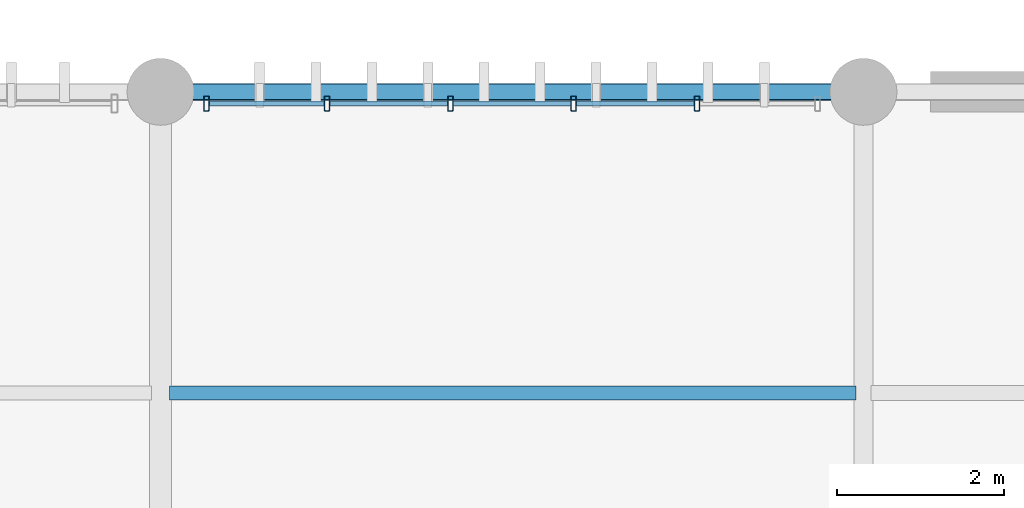
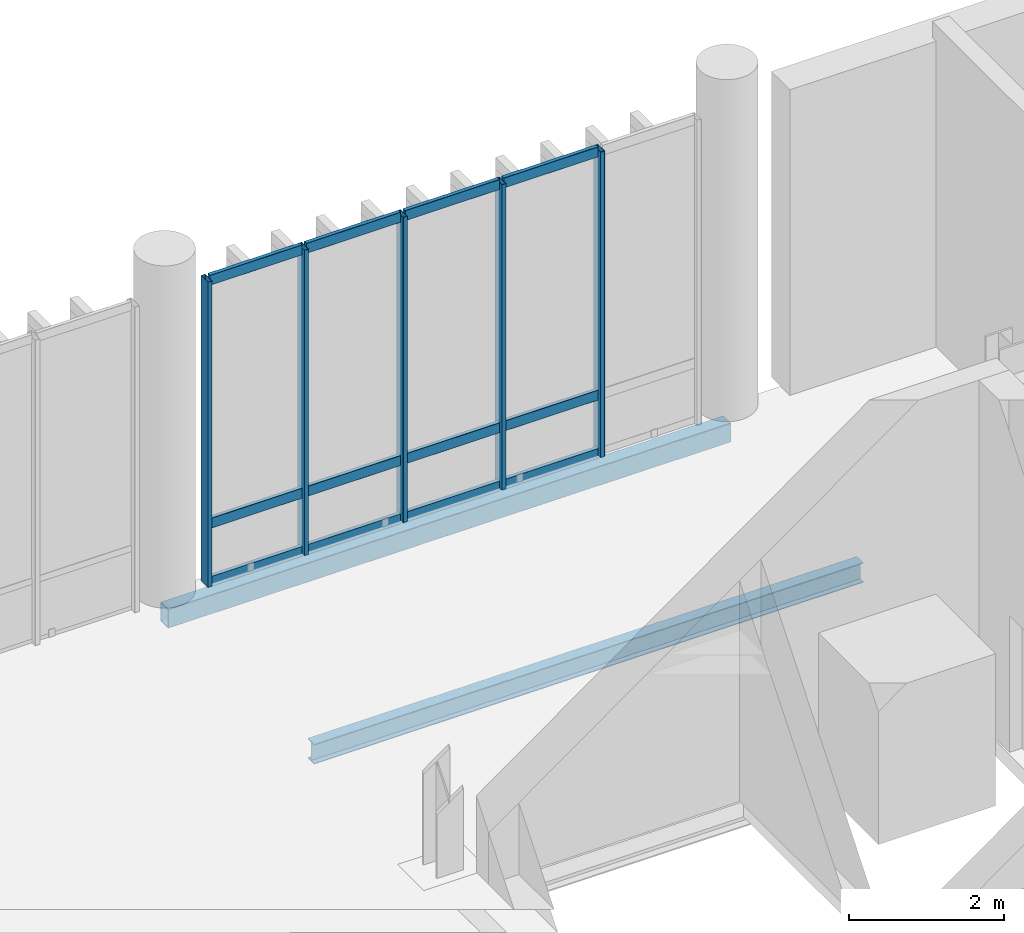
# One storey, part 40 of 112: 17 members, 2 beams, 1 element without a shape of its own.
"""IFC4 building model written with IfcOpenShell, lengths in metres."""

from ifc_helpers import new_model, si_unit, direction, frame, origin_with_axes, origin_2d_with_axis, place, context, subcontext, project, spatial, hollow_rectangle, i_section, extrude, material, material_profile, profile_set, type_object, element, aggregate, save


model = new_model("IFC4")

# Units and contexts
model_context = context("Model", 3, precision=1e-05, world=origin_with_axes(), true_north=direction((0.0, 1.0)))
body_context = subcontext(model_context, "Body", "Model", "MODEL_VIEW")
ifc_project = project(units=[si_unit("LENGTHUNIT", "METRE"), si_unit("AREAUNIT", "SQUARE_METRE"), si_unit("VOLUMEUNIT", "CUBIC_METRE"), si_unit("PLANEANGLEUNIT", "RADIAN"), si_unit("MASSUNIT", "GRAM", prefix="KILO"), si_unit("THERMODYNAMICTEMPERATUREUNIT", "KELVIN")], contexts=[model_context])

# Site, building, storey
site_placement = place(None, origin_with_axes())
site = spatial("IfcSite", under=ifc_project, at=site_placement, CompositionType="ELEMENT")
building_placement = place(site_placement, origin_with_axes())
building = spatial("IfcBuilding", under=site, at=building_placement, Name="Montbau Bow Law Courts", CompositionType="ELEMENT")
storey_placement = place(building_placement, origin_with_axes())
storey = spatial("IfcBuildingStorey", under=building, at=storey_placement, Name="L00", CompositionType="ELEMENT", Elevation=0.0)

# Beams
ifc_material_1 = material(Name="Steel CSA G40.21 Grade 350W (350 MPa)", Category="steel")
ifc_material_profile_1 = material_profile(ifc_material_1, i_section(OverallWidth=0.166, OverallDepth=0.313, WebThickness=0.0066, FlangeThickness=0.0112, at=origin_2d_with_axis()), Name="W310X45", Category="Main", Priority=0)
ifc_profile_set_1 = profile_set([ifc_material_profile_1], Name="Steel CSA G40.21 Grade 350W (350 MPa)")
beam_type_1 = type_object("IfcBeamType", Name="B-JST-04", PredefinedType="JOIST", material=ifc_profile_set_1)
beam_1_placement = place(None, frame((55.309, 58.2, -0.396), z_axis=(1.0, 0.0, 0.0), x_axis=(0.0, 1.0, 0.0)))
element("IfcBeam", 1, at=beam_1_placement, inside=storey, type_object=beam_type_1, Name="JST-L00-S0059:jst2_0059", PredefinedType="JOIST", context=body_context, shape_type="SweptSolid", body=[
    extrude(i_section(OverallWidth=0.166, OverallDepth=0.313, WebThickness=0.0066, FlangeThickness=0.0112, at=origin_2d_with_axis()), origin_with_axes(), (0.0, 0.0, 1.0), 8.201),
])
ifc_material_2 = material(Name="Steel CSA G40.21 Grade 350WT (350 MPa)", Category="steel")
ifc_material_profile_2 = material_profile(ifc_material_2, hollow_rectangle(XDim=0.203, YDim=0.305, WallThickness=0.0127, InnerFilletRadius=0.0254, OuterFilletRadius=0.0127, at=origin_2d_with_axis()), Name="HSS305X203X13", Category="Main", Priority=0)
ifc_profile_set_2 = profile_set([ifc_material_profile_2], Name="Steel CSA G40.21 Grade 350WT (350 MPa)")
beam_type_2 = type_object("IfcBeamType", Name="B-SPN-02", PredefinedType="SPANDREL", material=ifc_profile_set_2)
beam_2_placement = place(None, frame((55.2, 61.8, -0.392), z_axis=(1.0, 0.0, 0.0), x_axis=(0.0, 1.0, 0.0)))
element("IfcBeam", 2, at=beam_2_placement, inside=storey, type_object=beam_type_2, Name="SPN-L00-S0228:bm2_0231", PredefinedType="SPANDREL", context=body_context, shape_type="SweptSolid", body=[
    extrude(hollow_rectangle(XDim=0.203, YDim=0.305, WallThickness=0.0127, InnerFilletRadius=0.0254, OuterFilletRadius=0.0127, at=origin_2d_with_axis()), origin_with_axes(), (0.0, 0.0, 1.0), 8.4),
])

# Curtain wall, members
ifc_material_3 = material(Name="Thermally Broken Extruded Aluminium AA 6063-T6", Category="aluminium")
curtain_wall_type = type_object("IfcCurtainWallType", Name="CW-CRM-01", PredefinedType="NOTDEFINED", material=ifc_material_3)
curtain_wall_placement = place(None, frame((55.715, 61.66, 0.0), z_axis=(0.0, 0.0, 1.0), x_axis=(1.0, 0.0, 0.0)))
curtain_wall = element("IfcCurtainWall", 3, at=curtain_wall_placement, inside=storey, type_object=curtain_wall_type, Name="CW-L00-130:cw_0130", PredefinedType="NOTDEFINED")
ifc_material_profile_3 = material_profile(ifc_material_3, hollow_rectangle(XDim=0.065, YDim=0.18, WallThickness=0.005, InnerFilletRadius=0.01, OuterFilletRadius=0.005, at=origin_2d_with_axis()), Name="CWM-180X65", Category="Main", Priority=0)
ifc_profile_set_3 = profile_set([ifc_material_profile_3], Name="Thermally Broken Extruded Aluminium AA 6063-T6")
member_type_1 = type_object("IfcMemberType", Name="M-MUL-02", PredefinedType="MULLION", material=ifc_profile_set_3)
member_1_placement = place(None, frame((55.748, 61.66, 0.0), z_axis=(0.0, 0.0, 1.0), x_axis=(1.0, 0.0, 0.0)))
member_1 = element("IfcMember", 4, at=member_1_placement, type_object=member_type_1, Name="CW-L00-130-M01:cw_0130_M01", PredefinedType="MULLION", context=body_context, shape_type="SweptSolid", body=[
    extrude(hollow_rectangle(XDim=0.065, YDim=0.18, WallThickness=0.005, InnerFilletRadius=0.01, OuterFilletRadius=0.005, at=origin_2d_with_axis()), origin_with_axes(), (0.0, 0.0, 1.0), 4.82),
])
member_2_placement = place(None, frame((57.189, 61.66, 0.0), z_axis=(0.0, 0.0, 1.0), x_axis=(1.0, 0.0, 0.0)))
member_2 = element("IfcMember", 5, at=member_2_placement, type_object=member_type_1, Name="CW-L00-130-M02:cw_0130_M02", PredefinedType="MULLION", context=body_context, shape_type="SweptSolid", body=[
    extrude(hollow_rectangle(XDim=0.065, YDim=0.18, WallThickness=0.005, InnerFilletRadius=0.01, OuterFilletRadius=0.005, at=origin_2d_with_axis()), origin_with_axes(), (0.0, 0.0, 1.0), 4.82),
])
member_3_placement = place(None, frame((58.663, 61.66, 0.0), z_axis=(0.0, 0.0, 1.0), x_axis=(1.0, 0.0, 0.0)))
member_3 = element("IfcMember", 6, at=member_3_placement, type_object=member_type_1, Name="CW-L00-130-M03:cw_0130_M03", PredefinedType="MULLION", context=body_context, shape_type="SweptSolid", body=[
    extrude(hollow_rectangle(XDim=0.065, YDim=0.18, WallThickness=0.005, InnerFilletRadius=0.01, OuterFilletRadius=0.005, at=origin_2d_with_axis()), origin_with_axes(), (0.0, 0.0, 1.0), 4.82),
])
member_4_placement = place(None, frame((60.137, 61.66, 0.0), z_axis=(0.0, 0.0, 1.0), x_axis=(1.0, 0.0, 0.0)))
member_4 = element("IfcMember", 7, at=member_4_placement, type_object=member_type_1, Name="CW-L00-130-M04:cw_0130_M04", PredefinedType="MULLION", context=body_context, shape_type="SweptSolid", body=[
    extrude(hollow_rectangle(XDim=0.065, YDim=0.18, WallThickness=0.005, InnerFilletRadius=0.01, OuterFilletRadius=0.005, at=origin_2d_with_axis()), origin_with_axes(), (0.0, 0.0, 1.0), 4.82),
])
member_5_placement = place(None, frame((61.611, 61.66, 0.0), z_axis=(0.0, 0.0, 1.0), x_axis=(1.0, 0.0, 0.0)))
member_5 = element("IfcMember", 8, at=member_5_placement, type_object=member_type_1, Name="CW-L00-130-M05:cw_0130_M05", PredefinedType="MULLION", context=body_context, shape_type="SweptSolid", body=[
    extrude(hollow_rectangle(XDim=0.065, YDim=0.18, WallThickness=0.005, InnerFilletRadius=0.01, OuterFilletRadius=0.005, at=origin_2d_with_axis()), origin_with_axes(), (0.0, 0.0, 1.0), 4.82),
])
ifc_material_profile_4 = material_profile(ifc_material_3, hollow_rectangle(XDim=0.06, YDim=0.16, WallThickness=0.004, InnerFilletRadius=0.008, OuterFilletRadius=0.004, at=origin_2d_with_axis()), Name="CWT-160X60", Category="Main", Priority=0)
ifc_profile_set_4 = profile_set([ifc_material_profile_4], Name="Thermally Broken Extruded Aluminium AA 6063-T6")
member_type_2 = type_object("IfcMemberType", Name="M-TRN-01", PredefinedType="USERDEFINED", material=ifc_profile_set_4)
member_6_placement = place(None, frame((55.783, 61.66, 0.03), z_axis=(1.0, 0.0, 0.0), x_axis=(0.0, 1.0, 0.0)))
member_6 = element("IfcMember", 9, at=member_6_placement, type_object=member_type_2, Name="CW-L00-130-T01-1:cw_0130_T01_1", ObjectType="TRANSOM", PredefinedType="USERDEFINED", context=body_context, shape_type="SweptSolid", body=[
    extrude(hollow_rectangle(XDim=0.06, YDim=0.16, WallThickness=0.004, InnerFilletRadius=0.008, OuterFilletRadius=0.004, at=origin_2d_with_axis()), origin_with_axes(), (0.0, 0.0, 1.0), 1.372),
])
member_7_placement = place(None, frame((55.783, 61.66, 0.95), z_axis=(1.0, 0.0, 0.0), x_axis=(0.0, 1.0, 0.0)))
member_7 = element("IfcMember", 10, at=member_7_placement, type_object=member_type_2, Name="CW-L00-130-T01-2:cw_0130_T01_2", ObjectType="TRANSOM", PredefinedType="USERDEFINED", context=body_context, shape_type="SweptSolid", body=[
    extrude(hollow_rectangle(XDim=0.06, YDim=0.16, WallThickness=0.004, InnerFilletRadius=0.008, OuterFilletRadius=0.004, at=origin_2d_with_axis()), origin_with_axes(), (0.0, 0.0, 1.0), 1.372),
])
member_8_placement = place(None, frame((55.783, 61.66, 4.79), z_axis=(1.0, 0.0, 0.0), x_axis=(0.0, 1.0, 0.0)))
member_8 = element("IfcMember", 11, at=member_8_placement, type_object=member_type_2, Name="CW-L00-130-T01-3:cw_0130_T01_3", ObjectType="TRANSOM", PredefinedType="USERDEFINED", context=body_context, shape_type="SweptSolid", body=[
    extrude(hollow_rectangle(XDim=0.06, YDim=0.16, WallThickness=0.004, InnerFilletRadius=0.008, OuterFilletRadius=0.004, at=origin_2d_with_axis()), origin_with_axes(), (0.0, 0.0, 1.0), 1.372),
])
member_9_placement = place(None, frame((57.223, 61.66, 0.03), z_axis=(1.0, 0.0, 0.0), x_axis=(0.0, 1.0, 0.0)))
member_9 = element("IfcMember", 12, at=member_9_placement, type_object=member_type_2, Name="CW-L00-130-T02-1:cw_0130_T02_1", ObjectType="TRANSOM", PredefinedType="USERDEFINED", context=body_context, shape_type="SweptSolid", body=[
    extrude(hollow_rectangle(XDim=0.06, YDim=0.16, WallThickness=0.004, InnerFilletRadius=0.008, OuterFilletRadius=0.004, at=origin_2d_with_axis()), origin_with_axes(), (0.0, 0.0, 1.0), 1.405),
])
member_10_placement = place(None, frame((57.223, 61.66, 0.95), z_axis=(1.0, 0.0, 0.0), x_axis=(0.0, 1.0, 0.0)))
member_10 = element("IfcMember", 13, at=member_10_placement, type_object=member_type_2, Name="CW-L00-130-T02-2:cw_0130_T02_2", ObjectType="TRANSOM", PredefinedType="USERDEFINED", context=body_context, shape_type="SweptSolid", body=[
    extrude(hollow_rectangle(XDim=0.06, YDim=0.16, WallThickness=0.004, InnerFilletRadius=0.008, OuterFilletRadius=0.004, at=origin_2d_with_axis()), origin_with_axes(), (0.0, 0.0, 1.0), 1.405),
])
member_11_placement = place(None, frame((57.223, 61.66, 4.79), z_axis=(1.0, 0.0, 0.0), x_axis=(0.0, 1.0, 0.0)))
member_11 = element("IfcMember", 14, at=member_11_placement, type_object=member_type_2, Name="CW-L00-130-T02-3:cw_0130_T02_3", ObjectType="TRANSOM", PredefinedType="USERDEFINED", context=body_context, shape_type="SweptSolid", body=[
    extrude(hollow_rectangle(XDim=0.06, YDim=0.16, WallThickness=0.004, InnerFilletRadius=0.008, OuterFilletRadius=0.004, at=origin_2d_with_axis()), origin_with_axes(), (0.0, 0.0, 1.0), 1.405),
])
member_12_placement = place(None, frame((58.697, 61.66, 0.03), z_axis=(1.0, 0.0, 0.0), x_axis=(0.0, 1.0, 0.0)))
member_12 = element("IfcMember", 15, at=member_12_placement, type_object=member_type_2, Name="CW-L00-130-T03-1:cw_0130_T03_1", ObjectType="TRANSOM", PredefinedType="USERDEFINED", context=body_context, shape_type="SweptSolid", body=[
    extrude(hollow_rectangle(XDim=0.06, YDim=0.16, WallThickness=0.004, InnerFilletRadius=0.008, OuterFilletRadius=0.004, at=origin_2d_with_axis()), origin_with_axes(), (0.0, 0.0, 1.0), 1.406),
])
member_13_placement = place(None, frame((58.697, 61.66, 0.95), z_axis=(1.0, 0.0, 0.0), x_axis=(0.0, 1.0, 0.0)))
member_13 = element("IfcMember", 16, at=member_13_placement, type_object=member_type_2, Name="CW-L00-130-T03-2:cw_0130_T03_2", ObjectType="TRANSOM", PredefinedType="USERDEFINED", context=body_context, shape_type="SweptSolid", body=[
    extrude(hollow_rectangle(XDim=0.06, YDim=0.16, WallThickness=0.004, InnerFilletRadius=0.008, OuterFilletRadius=0.004, at=origin_2d_with_axis()), origin_with_axes(), (0.0, 0.0, 1.0), 1.406),
])
member_14_placement = place(None, frame((58.697, 61.66, 4.79), z_axis=(1.0, 0.0, 0.0), x_axis=(0.0, 1.0, 0.0)))
member_14 = element("IfcMember", 17, at=member_14_placement, type_object=member_type_2, Name="CW-L00-130-T03-3:cw_0130_T03_3", ObjectType="TRANSOM", PredefinedType="USERDEFINED", context=body_context, shape_type="SweptSolid", body=[
    extrude(hollow_rectangle(XDim=0.06, YDim=0.16, WallThickness=0.004, InnerFilletRadius=0.008, OuterFilletRadius=0.004, at=origin_2d_with_axis()), origin_with_axes(), (0.0, 0.0, 1.0), 1.406),
])
member_15_placement = place(None, frame((60.171, 61.66, 0.03), z_axis=(1.0, 0.0, 0.0), x_axis=(0.0, 1.0, 0.0)))
member_15 = element("IfcMember", 18, at=member_15_placement, type_object=member_type_2, Name="CW-L00-130-T04-1:cw_0130_T04_1", ObjectType="TRANSOM", PredefinedType="USERDEFINED", context=body_context, shape_type="SweptSolid", body=[
    extrude(hollow_rectangle(XDim=0.06, YDim=0.16, WallThickness=0.004, InnerFilletRadius=0.008, OuterFilletRadius=0.004, at=origin_2d_with_axis()), origin_with_axes(), (0.0, 0.0, 1.0), 1.406),
])
member_16_placement = place(None, frame((60.171, 61.66, 0.95), z_axis=(1.0, 0.0, 0.0), x_axis=(0.0, 1.0, 0.0)))
member_16 = element("IfcMember", 19, at=member_16_placement, type_object=member_type_2, Name="CW-L00-130-T04-2:cw_0130_T04_2", ObjectType="TRANSOM", PredefinedType="USERDEFINED", context=body_context, shape_type="SweptSolid", body=[
    extrude(hollow_rectangle(XDim=0.06, YDim=0.16, WallThickness=0.004, InnerFilletRadius=0.008, OuterFilletRadius=0.004, at=origin_2d_with_axis()), origin_with_axes(), (0.0, 0.0, 1.0), 1.406),
])
member_17_placement = place(None, frame((60.171, 61.66, 4.79), z_axis=(1.0, 0.0, 0.0), x_axis=(0.0, 1.0, 0.0)))
member_17 = element("IfcMember", 20, at=member_17_placement, type_object=member_type_2, Name="CW-L00-130-T04-3:cw_0130_T04_3", ObjectType="TRANSOM", PredefinedType="USERDEFINED", context=body_context, shape_type="SweptSolid", body=[
    extrude(hollow_rectangle(XDim=0.06, YDim=0.16, WallThickness=0.004, InnerFilletRadius=0.008, OuterFilletRadius=0.004, at=origin_2d_with_axis()), origin_with_axes(), (0.0, 0.0, 1.0), 1.406),
])
aggregate(curtain_wall, [member_1, member_2, member_3, member_4, member_5, member_6, member_7, member_8, member_9, member_10, member_11, member_12, member_13, member_14, member_15, member_16, member_17])

save(model, "model.ifc")
